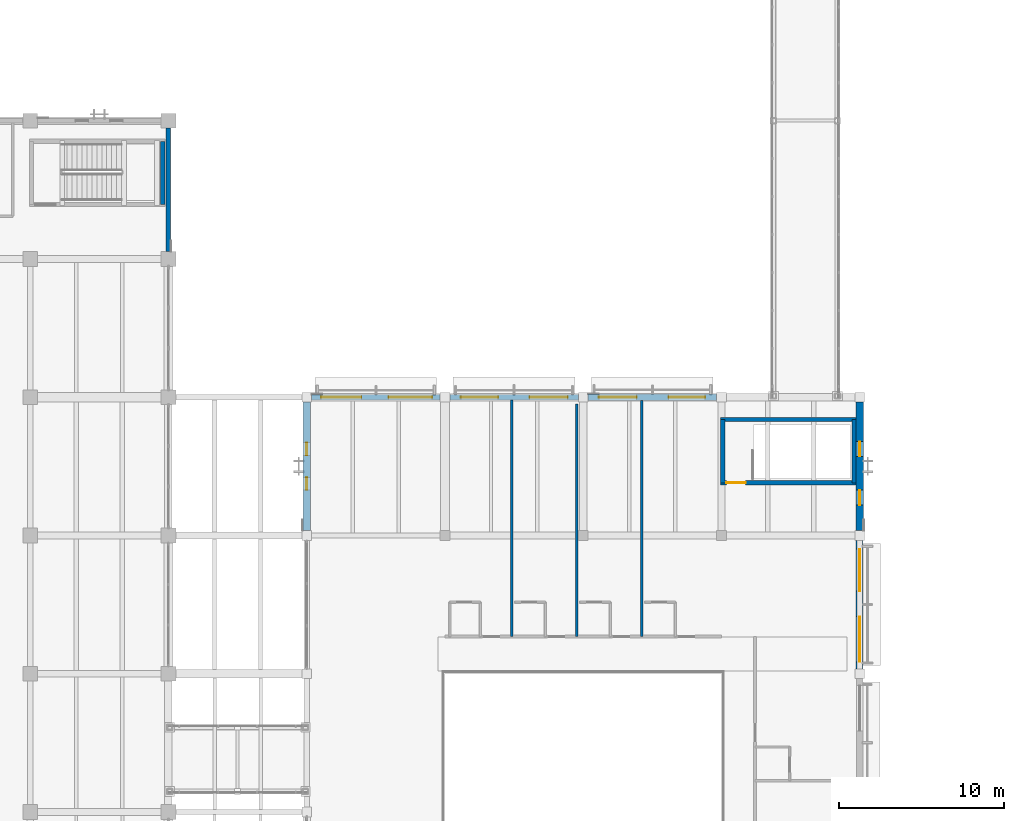
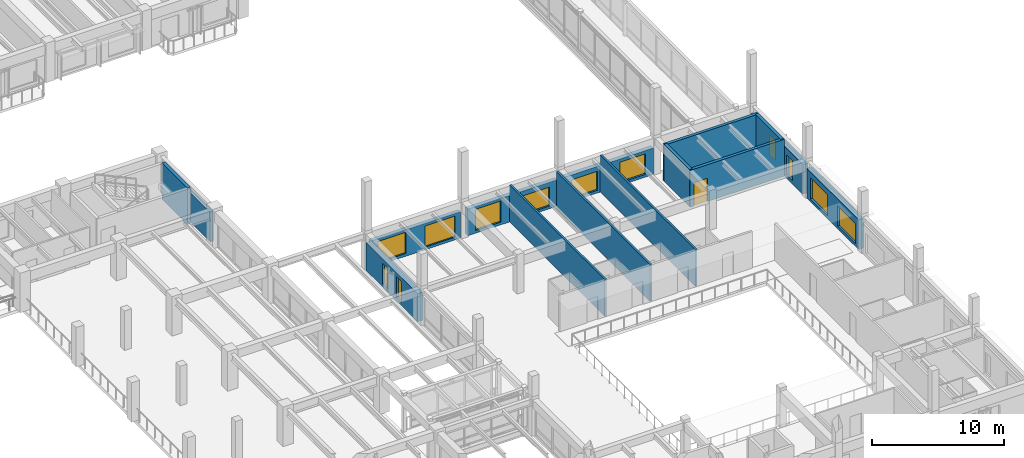
# One storey, part 69 of 118: 15 walls, 12 windows, 1 door, 13 openings.
"""IFC4 building model written with IfcOpenShell, lengths in metres."""

from ifc_helpers import new_model, si_unit, direction, frame, frame_2d, origin, place, context, subcontext, project, spatial, rectangle, extrude, material, layer, layer_set, type_object, element, fill, save


model = new_model("IFC4")

# Units and contexts
model_context = context("Model", 3, precision=1e-05, world=origin(), true_north=direction((0.0, 1.0)))
body_context = subcontext(model_context, "Body", "Model", "MODEL_VIEW")
ifc_project = project(units=[si_unit("LENGTHUNIT", "METRE"), si_unit("AREAUNIT", "SQUARE_METRE"), si_unit("VOLUMEUNIT", "CUBIC_METRE"), si_unit("PLANEANGLEUNIT", "RADIAN"), si_unit("MASSUNIT", "GRAM", prefix="KILO")], contexts=[model_context])

# Site, building, storey
site_placement = place(None, origin())
site = spatial("IfcSite", under=ifc_project, at=site_placement, CompositionType="ELEMENT")
building_placement = place(site_placement, origin())
building = spatial("IfcBuilding", under=site, at=building_placement, Name="Cumbredor Promenade Congress Hotel", CompositionType="ELEMENT")
storey_placement = place(building_placement, frame((0.0, 0.0, 3.919921875)))
storey = spatial("IfcBuildingStorey", under=building, at=storey_placement, Name="L01", CompositionType="ELEMENT", Elevation=3.919921875)

# Wall
ifc_material_1 = material(Name="Concrete C40/50", Category="concrete")
ifc_layer_1 = layer(ifc_material_1, 0.280029296875, Name="Concrete C40/50", Category="concrete")
ifc_layer_set_1 = layer_set([ifc_layer_1], Name="Concrete C40/50")
wall_type_1 = type_object("IfcWallType", Name="WL-EXT-280", PredefinedType="SOLIDWALL", material=ifc_layer_set_1)
wall_1_placement = place(storey_placement, frame((67.199951171875, 59.2509765625, 0.0), z_axis=(0.0, 0.0, 1.0), x_axis=(0.0, 1.0, 0.0)))
element("IfcWall", 1, at=wall_1_placement, inside=storey, type_object=wall_type_1, Name="L01 Plenary Congress Hall East Envelope Wall 7", PredefinedType="SOLIDWALL", context=body_context, shape_type="SweptSolid", body=[
    extrude(rectangle(XDim=7.498046875, YDim=0.280029296875, at=frame_2d((3.7490234375, 0.0))), origin(), (0.0, 0.0, 1.0), 2.734130859375),
])

# Wall, openings, windows
ifc_layer_2 = layer(ifc_material_1, 0.324951171875, Name="Concrete C40/50", Category="concrete")
ifc_layer_set_2 = layer_set([ifc_layer_2], Name="Concrete C40/50")
wall_type_2 = type_object("IfcWallType", Name="WL-EXT-325", PredefinedType="SOLIDWALL", material=ifc_layer_set_2)
wall_2_placement = place(storey_placement, frame((75.90087890625, 50.39990234375, 0.0), z_axis=(0.0, 0.0, 1.0), x_axis=(1.0, 0.0, 0.0)))
wall_2 = element("IfcWall", 2, at=wall_2_placement, inside=storey, type_object=wall_type_2, Name="L01 Thermal Spa and Hydrotherapy Pavilion North Envelope Wall 1", PredefinedType="SOLIDWALL", context=body_context, shape_type="SweptSolid", body=[
    extrude(rectangle(XDim=7.798095703125, YDim=0.324951171875, at=frame_2d((3.89892578125, 0.0))), origin(), (0.0, 0.0, 1.0), 2.445068359375),
])
opening_1_placement = place(wall_2_placement, frame((0.573974609375, 0.0, 0.25)))
opening_1 = element("IfcOpeningElement", 3, at=opening_1_placement, cuts=wall_2, Name="Opening WN-09", PredefinedType="OPENING", context=body_context, shape_type="SweptSolid", body=[
    extrude(rectangle(XDim=2.449951171875, YDim=1.949951171875, at=frame_2d((1.22509765625, 0.97509765625))), frame((0.0, 0.17236328125, 0.0), z_axis=(0.0, -1.0, 0.0), x_axis=(1.0, 0.0, 0.0)), (0.0, 0.0, 1.0), 0.344970703125),
])
opening_2_placement = place(wall_2_placement, frame((4.674072265625, 0.0, 0.25)))
opening_2 = element("IfcOpeningElement", 4, at=opening_2_placement, cuts=wall_2, Name="Opening WN-11", PredefinedType="OPENING", context=body_context, shape_type="SweptSolid", body=[
    extrude(rectangle(XDim=2.64990234375, YDim=1.949951171875, at=frame_2d((1.324951171875, 0.97509765625))), frame((0.0, 0.17236328125, 0.0), z_axis=(0.0, -1.0, 0.0), x_axis=(1.0, 0.0, 0.0)), (0.0, 0.0, 1.0), 0.344970703125),
])
ifc_material_2 = material(Name="Thermally broken anodized aluminium and low-E glass", Category="aluminium")
window_type_1 = type_object("IfcWindowType", Name="Hospitality Floor-to-Ceiling Window WN-09 2450x1950", PartitioningType="DOUBLE_PANEL_VERTICAL", PredefinedType="WINDOW", material=ifc_material_2)
window_1_placement = place(opening_1_placement, origin())
window_1 = element("IfcWindow", 5, at=window_1_placement, inside=storey, type_object=window_type_1, Name="L01 Wide Hospitality Window 0131", OverallHeight=1.949951171875, OverallWidth=2.449951171875, PartitioningType="DOUBLE_PANEL_VERTICAL", PredefinedType="WINDOW", context=body_context, shape_type="SweptSolid", body=[
    extrude(rectangle(XDim=2.449951171875, YDim=1.949951171875, at=frame_2d((1.22509765625, 0.97509765625))), frame((0.0, 0.030029296875, 0.0), z_axis=(0.0, -1.0, 0.0), x_axis=(1.0, 0.0, 0.0)), (0.0, 0.0, 1.0), 0.06005859375),
])
fill(opening_1, window_1)
window_type_2 = type_object("IfcWindowType", Name="Hospitality Floor-to-Ceiling Window WN-11 2650x1950", PartitioningType="DOUBLE_PANEL_VERTICAL", PredefinedType="WINDOW", material=ifc_material_2)
window_2_placement = place(opening_2_placement, origin())
window_2 = element("IfcWindow", 6, at=window_2_placement, inside=storey, type_object=window_type_2, Name="L01 Wide Hospitality Window 0132", OverallHeight=1.949951171875, OverallWidth=2.64990234375, PartitioningType="DOUBLE_PANEL_VERTICAL", PredefinedType="WINDOW", context=body_context, shape_type="SweptSolid", body=[
    extrude(rectangle(XDim=2.64990234375, YDim=1.949951171875, at=frame_2d((1.324951171875, 0.97509765625))), frame((0.0, 0.030029296875, 0.0), z_axis=(0.0, -1.0, 0.0), x_axis=(1.0, 0.0, 0.0)), (0.0, 0.0, 1.0), 0.06005859375),
])
fill(opening_2, window_2)

ifc_layer_3 = layer(ifc_material_1, 0.35009765625, Name="Concrete C40/50", Category="concrete")
ifc_layer_set_3 = layer_set([ifc_layer_3], Name="Concrete C40/50")
wall_type_3 = type_object("IfcWallType", Name="WL-EXT-350", PredefinedType="SOLIDWALL", material=ifc_layer_set_3)
wall_3_placement = place(storey_placement, frame((84.301025390625, 50.39990234375, 0.0), z_axis=(0.0, 0.0, 1.0), x_axis=(1.0, 0.0, 0.0)))
wall_3 = element("IfcWall", 7, at=wall_3_placement, inside=storey, type_object=wall_type_3, Name="L01 Thermal Spa and Hydrotherapy Pavilion North Envelope Wall 2", PredefinedType="SOLIDWALL", context=body_context, shape_type="SweptSolid", body=[
    extrude(rectangle(XDim=7.798095703125, YDim=0.35009765625, at=frame_2d((3.89892578125, 0.0))), origin(), (0.0, 0.0, 1.0), 2.445068359375),
])
opening_3_placement = place(wall_3_placement, frame((0.674072265625, 0.0, 0.25)))
opening_3 = element("IfcOpeningElement", 8, at=opening_3_placement, cuts=wall_3, Name="Opening WN-07", PredefinedType="OPENING", context=body_context, shape_type="SweptSolid", body=[
    extrude(rectangle(XDim=2.25, YDim=1.949951171875, at=frame_2d((1.125, 0.97509765625))), frame((0.0, 0.18505859375, 0.0), z_axis=(0.0, -1.0, 0.0), x_axis=(1.0, 0.0, 0.0)), (0.0, 0.0, 1.0), 0.3701171875),
])
opening_4_placement = place(wall_3_placement, frame((4.84912109375, 0.0, 0.25)))
opening_4 = element("IfcOpeningElement", 9, at=opening_4_placement, cuts=wall_3, Name="Opening WN-25", PredefinedType="OPENING", context=body_context, shape_type="SweptSolid", body=[
    extrude(rectangle(XDim=2.300048828125, YDim=1.75, at=frame_2d((1.14990234375, 0.875))), frame((0.0, 0.18505859375, 0.0), z_axis=(0.0, -1.0, 0.0), x_axis=(1.0, 0.0, 0.0)), (0.0, 0.0, 1.0), 0.3701171875),
])
window_type_3 = type_object("IfcWindowType", Name="Hospitality Floor-to-Ceiling Window WN-07 2250x1950", PartitioningType="DOUBLE_PANEL_VERTICAL", PredefinedType="WINDOW", material=ifc_material_2)
window_3_placement = place(opening_3_placement, origin())
window_3 = element("IfcWindow", 10, at=window_3_placement, inside=storey, type_object=window_type_3, Name="L01 Wide Hospitality Window 0133", OverallHeight=1.949951171875, OverallWidth=2.25, PartitioningType="DOUBLE_PANEL_VERTICAL", PredefinedType="WINDOW", context=body_context, shape_type="SweptSolid", body=[
    extrude(rectangle(XDim=2.25, YDim=1.949951171875, at=frame_2d((1.125, 0.97509765625))), frame((0.0, 0.030029296875, 0.0), z_axis=(0.0, -1.0, 0.0), x_axis=(1.0, 0.0, 0.0)), (0.0, 0.0, 1.0), 0.06005859375),
])
fill(opening_3, window_3)
window_type_4 = type_object("IfcWindowType", Name="Hospitality Floor-to-Ceiling Window WN-25 2300x1750", PartitioningType="DOUBLE_PANEL_VERTICAL", PredefinedType="WINDOW", material=ifc_material_2)
window_4_placement = place(opening_4_placement, origin())
window_4 = element("IfcWindow", 11, at=window_4_placement, inside=storey, type_object=window_type_4, Name="L01 Wide Hospitality Window 0134", OverallHeight=1.75, OverallWidth=2.300048828125, PartitioningType="DOUBLE_PANEL_VERTICAL", PredefinedType="WINDOW", context=body_context, shape_type="SweptSolid", body=[
    extrude(rectangle(XDim=2.300048828125, YDim=1.75, at=frame_2d((1.14990234375, 0.875))), frame((0.0, 0.030029296875, 0.0), z_axis=(0.0, -1.0, 0.0), x_axis=(1.0, 0.0, 0.0)), (0.0, 0.0, 1.0), 0.06005859375),
])
fill(opening_4, window_4)

ifc_layer_4 = layer(ifc_material_1, 0.3798828125, Name="Concrete C40/50", Category="concrete")
ifc_layer_set_4 = layer_set([ifc_layer_4], Name="Concrete C40/50")
wall_type_4 = type_object("IfcWallType", Name="WL-EXT-380", PredefinedType="SOLIDWALL", material=ifc_layer_set_4)
wall_4_placement = place(storey_placement, frame((92.700927734375, 50.39990234375, 0.0), z_axis=(0.0, 0.0, 1.0), x_axis=(1.0, 0.0, 0.0)))
wall_4 = element("IfcWall", 12, at=wall_4_placement, inside=storey, type_object=wall_type_4, Name="L01 Thermal Spa and Hydrotherapy Pavilion North Envelope Wall 3", PredefinedType="SOLIDWALL", context=body_context, shape_type="SweptSolid", body=[
    extrude(rectangle(XDim=7.798095703125, YDim=0.3798828125, at=frame_2d((3.89892578125, 0.0))), origin(), (0.0, 0.0, 1.0), 2.445068359375),
])
opening_5_placement = place(wall_4_placement, frame((0.64892578125, 0.0, 0.25)))
opening_5 = element("IfcOpeningElement", 13, at=opening_5_placement, cuts=wall_4, Name="Opening WN-25", PredefinedType="OPENING", context=body_context, shape_type="SweptSolid", body=[
    extrude(rectangle(XDim=2.300048828125, YDim=1.75, at=frame_2d((1.14990234375, 0.875))), frame((0.0, 0.199951171875, 0.0), z_axis=(0.0, -1.0, 0.0), x_axis=(1.0, 0.0, 0.0)), (0.0, 0.0, 1.0), 0.39990234375),
])
opening_6_placement = place(wall_4_placement, frame((4.888916015625, 0.0, 0.25)))
opening_6 = element("IfcOpeningElement", 14, at=opening_6_placement, cuts=wall_4, Name="Opening WN-35", PredefinedType="OPENING", context=body_context, shape_type="SweptSolid", body=[
    extrude(rectangle(XDim=2.219970703125, YDim=1.89990234375, at=frame_2d((1.10986328125, 0.949951171875))), frame((0.0, 0.199951171875, 0.0), z_axis=(0.0, -1.0, 0.0), x_axis=(1.0, 0.0, 0.0)), (0.0, 0.0, 1.0), 0.39990234375),
])
window_5_placement = place(opening_5_placement, origin())
window_5 = element("IfcWindow", 15, at=window_5_placement, inside=storey, type_object=window_type_4, Name="L01 Wide Hospitality Window 0135", OverallHeight=1.75, OverallWidth=2.300048828125, PartitioningType="DOUBLE_PANEL_VERTICAL", PredefinedType="WINDOW", context=body_context, shape_type="SweptSolid", body=[
    extrude(rectangle(XDim=2.300048828125, YDim=1.75, at=frame_2d((1.14990234375, 0.875))), frame((0.0, 0.030029296875, 0.0), z_axis=(0.0, -1.0, 0.0), x_axis=(1.0, 0.0, 0.0)), (0.0, 0.0, 1.0), 0.06005859375),
])
fill(opening_5, window_5)
window_type_5 = type_object("IfcWindowType", Name="Hospitality Floor-to-Ceiling Window WN-35 2220x1900", PartitioningType="DOUBLE_PANEL_VERTICAL", PredefinedType="WINDOW", material=ifc_material_2)
window_6_placement = place(opening_6_placement, origin())
window_6 = element("IfcWindow", 16, at=window_6_placement, inside=storey, type_object=window_type_5, Name="L01 Wide Hospitality Window 0136", OverallHeight=1.89990234375, OverallWidth=2.219970703125, PartitioningType="DOUBLE_PANEL_VERTICAL", PredefinedType="WINDOW", context=body_context, shape_type="SweptSolid", body=[
    extrude(rectangle(XDim=2.219970703125, YDim=1.89990234375, at=frame_2d((1.10986328125, 0.949951171875))), frame((0.0, 0.030029296875, 0.0), z_axis=(0.0, -1.0, 0.0), x_axis=(1.0, 0.0, 0.0)), (0.0, 0.0, 1.0), 0.06005859375),
])
fill(opening_6, window_6)

ifc_layer_5 = layer(ifc_material_1, 0.425048828125, Name="Concrete C40/50", Category="concrete")
ifc_layer_set_5 = layer_set([ifc_layer_5], Name="Concrete C40/50")
wall_type_5 = type_object("IfcWallType", Name="WL-EXT-425", PredefinedType="SOLIDWALL", material=ifc_layer_set_5)
wall_5_placement = place(storey_placement, frame((109.199951171875, 33.90087890625, 0.0), z_axis=(0.0, 0.0, 1.0), x_axis=(0.0, 1.0, 0.0)))
wall_5 = element("IfcWall", 17, at=wall_5_placement, inside=storey, type_object=wall_type_5, Name="L01 Thermal Spa and Hydrotherapy Pavilion East Envelope Wall 4", PredefinedType="SOLIDWALL", context=body_context, shape_type="SweptSolid", body=[
    extrude(rectangle(XDim=7.798095703125, YDim=0.425048828125, at=frame_2d((3.89892578125, 0.0))), origin(), (0.0, 0.0, 1.0), 2.734130859375),
])
opening_7_placement = place(wall_5_placement, frame((0.424072265625, 0.0, 0.25)))
opening_7 = element("IfcOpeningElement", 18, at=opening_7_placement, cuts=wall_5, Name="Opening WN-06", PredefinedType="OPENING", context=body_context, shape_type="SweptSolid", body=[
    extrude(rectangle(XDim=2.75, YDim=1.85009765625, at=frame_2d((1.375, 0.925048828125))), frame((0.0, 0.22265625, 0.0), z_axis=(0.0, -1.0, 0.0), x_axis=(1.0, 0.0, 0.0)), (0.0, 0.0, 1.0), 0.445068359375),
])
opening_8_placement = place(wall_5_placement, frame((4.72412109375, 0.0, 0.25)))
opening_8 = element("IfcOpeningElement", 19, at=opening_8_placement, cuts=wall_5, Name="Opening WN-10", PredefinedType="OPENING", context=body_context, shape_type="SweptSolid", body=[
    extrude(rectangle(XDim=2.550048828125, YDim=1.949951171875, at=frame_2d((1.27490234375, 0.97509765625))), frame((0.0, 0.22265625, 0.0), z_axis=(0.0, -1.0, 0.0), x_axis=(1.0, 0.0, 0.0)), (0.0, 0.0, 1.0), 0.445068359375),
])
window_type_6 = type_object("IfcWindowType", Name="Hospitality Floor-to-Ceiling Window WN-06 2750x1850", PartitioningType="DOUBLE_PANEL_VERTICAL", PredefinedType="WINDOW", material=ifc_material_2)
window_7_placement = place(opening_7_placement, origin())
window_7 = element("IfcWindow", 20, at=window_7_placement, inside=storey, type_object=window_type_6, Name="L01 Wide Hospitality Window 0147", OverallHeight=1.85009765625, OverallWidth=2.75, PartitioningType="DOUBLE_PANEL_VERTICAL", PredefinedType="WINDOW", context=body_context, shape_type="SweptSolid", body=[
    extrude(rectangle(XDim=2.75, YDim=1.85009765625, at=frame_2d((1.375, 0.925048828125))), frame((0.0, 0.030029296875, 0.0), z_axis=(0.0, -1.0, 0.0), x_axis=(1.0, 0.0, 0.0)), (0.0, 0.0, 1.0), 0.06005859375),
])
fill(opening_7, window_7)
window_type_7 = type_object("IfcWindowType", Name="Hospitality Floor-to-Ceiling Window WN-10 2550x1950", PartitioningType="DOUBLE_PANEL_VERTICAL", PredefinedType="WINDOW", material=ifc_material_2)
window_8_placement = place(opening_8_placement, origin())
window_8 = element("IfcWindow", 21, at=window_8_placement, inside=storey, type_object=window_type_7, Name="L01 Wide Hospitality Window 0148", OverallHeight=1.949951171875, OverallWidth=2.550048828125, PartitioningType="DOUBLE_PANEL_VERTICAL", PredefinedType="WINDOW", context=body_context, shape_type="SweptSolid", body=[
    extrude(rectangle(XDim=2.550048828125, YDim=1.949951171875, at=frame_2d((1.27490234375, 0.97509765625))), frame((0.0, 0.030029296875, 0.0), z_axis=(0.0, -1.0, 0.0), x_axis=(1.0, 0.0, 0.0)), (0.0, 0.0, 1.0), 0.06005859375),
])
fill(opening_8, window_8)

ifc_layer_6 = layer(ifc_material_1, 0.449951171875, Name="Concrete C40/50", Category="concrete")
ifc_layer_set_6 = layer_set([ifc_layer_6], Name="Concrete C40/50")
wall_type_6 = type_object("IfcWallType", Name="WL-EXT-450", PredefinedType="SOLIDWALL", material=ifc_layer_set_6)
wall_6_placement = place(storey_placement, frame((75.60009765625, 42.301025390625, 0.0), z_axis=(0.0, 0.0, 1.0), x_axis=(0.0, 1.0, 0.0)))
wall_6 = element("IfcWall", 22, at=wall_6_placement, inside=storey, type_object=wall_type_6, Name="L01 Thermal Spa and Hydrotherapy Pavilion West Envelope Wall 5", PredefinedType="SOLIDWALL", context=body_context, shape_type="SweptSolid", body=[
    extrude(rectangle(XDim=7.798095703125, YDim=0.449951171875, at=frame_2d((3.89892578125, 0.0))), origin(), (0.0, 0.0, 1.0), 2.594970703125),
])
opening_9_placement = place(wall_6_placement, frame((2.464111328125, 0.0, 0.300048828125)))
opening_9 = element("IfcOpeningElement", 23, at=opening_9_placement, cuts=wall_6, Name="Opening WN-66", PredefinedType="OPENING", context=body_context, shape_type="SweptSolid", body=[
    extrude(rectangle(XDim=0.77001953125, YDim=1.89990234375, at=frame_2d((0.385009765625, 0.949951171875))), frame((0.0, 0.23486328125, 0.0), z_axis=(0.0, -1.0, 0.0), x_axis=(1.0, 0.0, 0.0)), (0.0, 0.0, 1.0), 0.469970703125),
])
opening_10_placement = place(wall_6_placement, frame((4.56396484375, 0.0, 0.300048828125)))
opening_10 = element("IfcOpeningElement", 24, at=opening_10_placement, cuts=wall_6, Name="Opening WN-66", PredefinedType="OPENING", context=body_context, shape_type="SweptSolid", body=[
    extrude(rectangle(XDim=0.77001953125, YDim=1.89990234375, at=frame_2d((0.385009765625, 0.949951171875))), frame((0.0, 0.23486328125, 0.0), z_axis=(0.0, -1.0, 0.0), x_axis=(1.0, 0.0, 0.0)), (0.0, 0.0, 1.0), 0.469970703125),
])
window_type_8 = type_object("IfcWindowType", Name="Vertical Slot Window WN-66 770x1900", PartitioningType="SINGLE_PANEL", PredefinedType="WINDOW", material=ifc_material_2)
window_9_placement = place(opening_9_placement, origin())
window_9 = element("IfcWindow", 25, at=window_9_placement, inside=storey, type_object=window_type_8, Name="L01 Vertical Slot Window 0139", OverallHeight=1.89990234375, OverallWidth=0.77001953125, PartitioningType="SINGLE_PANEL", PredefinedType="WINDOW", context=body_context, shape_type="SweptSolid", body=[
    extrude(rectangle(XDim=0.77001953125, YDim=1.89990234375, at=frame_2d((0.385009765625, 0.949951171875))), frame((0.0, 0.030029296875, 0.0), z_axis=(0.0, -1.0, 0.0), x_axis=(1.0, 0.0, 0.0)), (0.0, 0.0, 1.0), 0.06005859375),
])
fill(opening_9, window_9)
window_10_placement = place(opening_10_placement, origin())
window_10 = element("IfcWindow", 26, at=window_10_placement, inside=storey, type_object=window_type_8, Name="L01 Vertical Slot Window 0140", OverallHeight=1.89990234375, OverallWidth=0.77001953125, PartitioningType="SINGLE_PANEL", PredefinedType="WINDOW", context=body_context, shape_type="SweptSolid", body=[
    extrude(rectangle(XDim=0.77001953125, YDim=1.89990234375, at=frame_2d((0.385009765625, 0.949951171875))), frame((0.0, 0.030029296875, 0.0), z_axis=(0.0, -1.0, 0.0), x_axis=(1.0, 0.0, 0.0)), (0.0, 0.0, 1.0), 0.06005859375),
])
fill(opening_10, window_10)

wall_7_placement = place(storey_placement, frame((109.199951171875, 42.301025390625, 0.0), z_axis=(0.0, 0.0, 1.0), x_axis=(0.0, 1.0, 0.0)))
wall_7 = element("IfcWall", 27, at=wall_7_placement, inside=storey, type_object=wall_type_6, Name="L01 Thermal Spa and Hydrotherapy Pavilion East Envelope Wall 5", PredefinedType="SOLIDWALL", context=body_context, shape_type="SweptSolid", body=[
    extrude(rectangle(XDim=7.798095703125, YDim=0.449951171875, at=frame_2d((3.89892578125, 0.0))), origin(), (0.0, 0.0, 1.0), 2.734130859375),
])
opening_11_placement = place(wall_7_placement, frame((1.549072265625, 0.0, 0.300048828125)))
opening_11 = element("IfcOpeningElement", 28, at=opening_11_placement, cuts=wall_7, Name="Opening WN-48", PredefinedType="OPENING", context=body_context, shape_type="SweptSolid", body=[
    extrude(rectangle(XDim=0.89990234375, YDim=1.85009765625, at=frame_2d((0.449951171875, 0.925048828125))), frame((0.0, 0.23486328125, 0.0), z_axis=(0.0, -1.0, 0.0), x_axis=(1.0, 0.0, 0.0)), (0.0, 0.0, 1.0), 0.469970703125),
])
opening_12_placement = place(wall_7_placement, frame((4.4990234375, 0.0, 0.300048828125)))
opening_12 = element("IfcOpeningElement", 29, at=opening_12_placement, cuts=wall_7, Name="Opening WN-48", PredefinedType="OPENING", context=body_context, shape_type="SweptSolid", body=[
    extrude(rectangle(XDim=0.89990234375, YDim=1.85009765625, at=frame_2d((0.449951171875, 0.925048828125))), frame((0.0, 0.23486328125, 0.0), z_axis=(0.0, -1.0, 0.0), x_axis=(1.0, 0.0, 0.0)), (0.0, 0.0, 1.0), 0.469970703125),
])
window_type_9 = type_object("IfcWindowType", Name="Vertical Slot Window WN-48 900x1850", PartitioningType="SINGLE_PANEL", PredefinedType="WINDOW", material=ifc_material_2)
window_11_placement = place(opening_11_placement, origin())
window_11 = element("IfcWindow", 30, at=window_11_placement, inside=storey, type_object=window_type_9, Name="L01 Vertical Slot Window 0149", OverallHeight=1.85009765625, OverallWidth=0.89990234375, PartitioningType="SINGLE_PANEL", PredefinedType="WINDOW", context=body_context, shape_type="SweptSolid", body=[
    extrude(rectangle(XDim=0.89990234375, YDim=1.85009765625, at=frame_2d((0.449951171875, 0.925048828125))), frame((0.0, 0.030029296875, 0.0), z_axis=(0.0, -1.0, 0.0), x_axis=(1.0, 0.0, 0.0)), (0.0, 0.0, 1.0), 0.06005859375),
])
fill(opening_11, window_11)
window_12_placement = place(opening_12_placement, origin())
window_12 = element("IfcWindow", 31, at=window_12_placement, inside=storey, type_object=window_type_9, Name="L01 Vertical Slot Window 0150", OverallHeight=1.85009765625, OverallWidth=0.89990234375, PartitioningType="SINGLE_PANEL", PredefinedType="WINDOW", context=body_context, shape_type="SweptSolid", body=[
    extrude(rectangle(XDim=0.89990234375, YDim=1.85009765625, at=frame_2d((0.449951171875, 0.925048828125))), frame((0.0, 0.030029296875, 0.0), z_axis=(0.0, -1.0, 0.0), x_axis=(1.0, 0.0, 0.0)), (0.0, 0.0, 1.0), 0.06005859375),
])
fill(opening_12, window_12)

# Wall
ifc_layer_7 = layer(ifc_material_1, 0.2548828125, Name="Concrete C40/50", Category="concrete")
ifc_layer_set_7 = layer_set([ifc_layer_7], Name="Concrete C40/50")
wall_type_7 = type_object("IfcWallType", Name="WL-SHAFT-250", PredefinedType="SOLIDWALL", material=ifc_layer_set_7)
wall_8_placement = place(storey_placement, frame((66.85009765625, 62.10009765625, 0.0), z_axis=(0.0, 0.0, 1.0), x_axis=(0.0, 1.0, 0.0)))
element("IfcWall", 32, at=wall_8_placement, inside=storey, type_object=wall_type_7, Name="STAIR-ST-07-L01 Shaft Wall East", PredefinedType="SOLIDWALL", context=body_context, shape_type="SweptSolid", body=[
    extrude(rectangle(XDim=3.849853515625, YDim=0.2548828125, at=frame_2d((1.9248046875, 0.0))), origin(), (0.0, 0.0, 1.0), 3.360107421875),
])

# Wall, opening, door
wall_9_placement = place(storey_placement, frame((100.75244140625, 45.199951171875, 0.0), z_axis=(0.0, 0.0, 1.0), x_axis=(1.0, 0.0, 0.0)))
wall_9 = element("IfcWall", 33, at=wall_9_placement, inside=storey, type_object=wall_type_7, Name="STAIR-ST-12-L01 Shaft Wall South", PredefinedType="SOLIDWALL", context=body_context, shape_type="SweptSolid", body=[
    extrude(rectangle(XDim=8.22509765625, YDim=0.2548828125, at=frame_2d((4.112548828125, 0.0))), origin(), (0.0, 0.0, 1.0), 3.405029296875),
])
opening_13_placement = place(wall_9_placement, frame((0.35009765625, 0.0, 0.0)))
opening_13 = element("IfcOpeningElement", 34, at=opening_13_placement, cuts=wall_9, Name="Opening SD-01", PredefinedType="OPENING", context=body_context, shape_type="SweptSolid", body=[
    extrude(rectangle(XDim=1.159912109375, YDim=2.14990234375, at=frame_2d((0.580078125, 1.074951171875))), frame((0.0, 0.137451171875, 0.0), z_axis=(0.0, -1.0, 0.0), x_axis=(1.0, 0.0, 0.0)), (0.0, 0.0, 1.0), 0.27490234375),
])
ifc_material_3 = material(Name="Painted galvanized steel fire door", Category="steel")
door_type = type_object("IfcDoorType", Name="DR-STAIR-FD90-1150", OperationType="NOTDEFINED", PredefinedType="DOOR", material=ifc_material_3)
door_placement = place(opening_13_placement, origin())
door = element("IfcDoor", 35, at=door_placement, inside=storey, type_object=door_type, Name="L01 Protected Exit Stair ST-12 Door", OperationType="SINGLE_SWING_LEFT", OverallHeight=2.14990234375, OverallWidth=1.159912109375, PredefinedType="DOOR", context=body_context, shape_type="SweptSolid", body=[
    extrude(rectangle(XDim=1.159912109375, YDim=2.14990234375, at=frame_2d((0.580078125, 1.074951171875))), frame((0.0, 0.02490234375, 0.0), z_axis=(0.0, -1.0, 0.0), x_axis=(1.0, 0.0, 0.0)), (0.0, 0.0, 1.0), 0.050048828125),
])
fill(opening_13, door)

# Walls
wall_10_placement = place(storey_placement, frame((100.75244140625, 49.050048828125, 0.0), z_axis=(0.0, 0.0, 1.0), x_axis=(1.0, 0.0, 0.0)))
element("IfcWall", 36, at=wall_10_placement, inside=storey, type_object=wall_type_7, Name="STAIR-ST-12-L01 Shaft Wall North", PredefinedType="SOLIDWALL", context=body_context, shape_type="SweptSolid", body=[
    extrude(rectangle(XDim=8.22509765625, YDim=0.2548828125, at=frame_2d((4.112548828125, 0.0))), origin(), (0.0, 0.0, 1.0), 3.405029296875),
])
for number, where, z_axis, x_axis, name in (
    (37, (100.8798828125, 45.199951171875, 0.0), (0.0, 0.0, 1.0), (0.0, 1.0, 0.0), "STAIR-ST-12-L01 Shaft Wall West"),
    (38, (108.85009765625, 45.199951171875, 0.0), (0.0, 0.0, 1.0), (0.0, 1.0, 0.0), "STAIR-ST-12-L01 Shaft Wall East"),
):
    element("IfcWall", number, at=place(storey_placement, frame(where, z_axis=z_axis, x_axis=x_axis)), inside=storey, type_object=wall_type_7, Name=name, PredefinedType="SOLIDWALL", context=body_context, shape_type="SweptSolid", body=[
        extrude(rectangle(XDim=3.85009765625, YDim=0.2548828125, at=frame_2d((1.925048828125, 0.0))), origin(), (0.0, 0.0, 1.0), 3.405029296875),
    ])
ifc_material_4 = material(Name="Fire-rated acoustic double-stud partition")
ifc_layer_8 = layer(ifc_material_4, 0.1650390625, Name="Fire-rated acoustic double-stud partition")
ifc_layer_set_8 = layer_set([ifc_layer_8], Name="Fire-rated acoustic double-stud partition")
wall_type_8 = type_object("IfcWallType", Name="WL-UNIT-165", PredefinedType="PARTITIONING", material=ifc_layer_set_8)
wall_11_placement = place(storey_placement, frame((88.050048828125, 35.85009765625, 0.0), z_axis=(0.0, 0.0, 1.0), x_axis=(0.0, 1.0, 0.0)))
element("IfcWall", 39, at=wall_11_placement, inside=storey, type_object=wall_type_8, Name="L01 Interior Partition W-L01-SDIV-1", PredefinedType="PARTITIONING", context=body_context, shape_type="SweptSolid", body=[
    extrude(rectangle(XDim=14.375, YDim=0.1650390625, at=frame_2d((7.1875, 0.0))), origin(), (0.0, 0.0, 1.0), 3.405029296875),
])
wall_12_placement = place(storey_placement, frame((92.0, 35.85009765625, 0.0), z_axis=(0.0, 0.0, 1.0), x_axis=(0.0, 1.0, 0.0)))
element("IfcWall", 40, at=wall_12_placement, inside=storey, type_object=wall_type_8, Name="L01 Interior Partition W-L01-SDIV-2", PredefinedType="PARTITIONING", context=body_context, shape_type="SweptSolid", body=[
    extrude(rectangle(XDim=14.14990234375, YDim=0.1650390625, at=frame_2d((7.074951171875, 0.0))), origin(), (0.0, 0.0, 1.0), 3.405029296875),
])
wall_13_placement = place(storey_placement, frame((95.949951171875, 35.85009765625, 0.0), z_axis=(0.0, 0.0, 1.0), x_axis=(0.0, 1.0, 0.0)))
element("IfcWall", 41, at=wall_13_placement, inside=storey, type_object=wall_type_8, Name="L01 Interior Partition W-L01-SDIV-3", PredefinedType="PARTITIONING", context=body_context, shape_type="SweptSolid", body=[
    extrude(rectangle(XDim=14.35986328125, YDim=0.1650390625, at=frame_2d((7.179931640625, 0.0))), origin(), (0.0, 0.0, 1.0), 3.405029296875),
])

save(model, "model.ifc")
